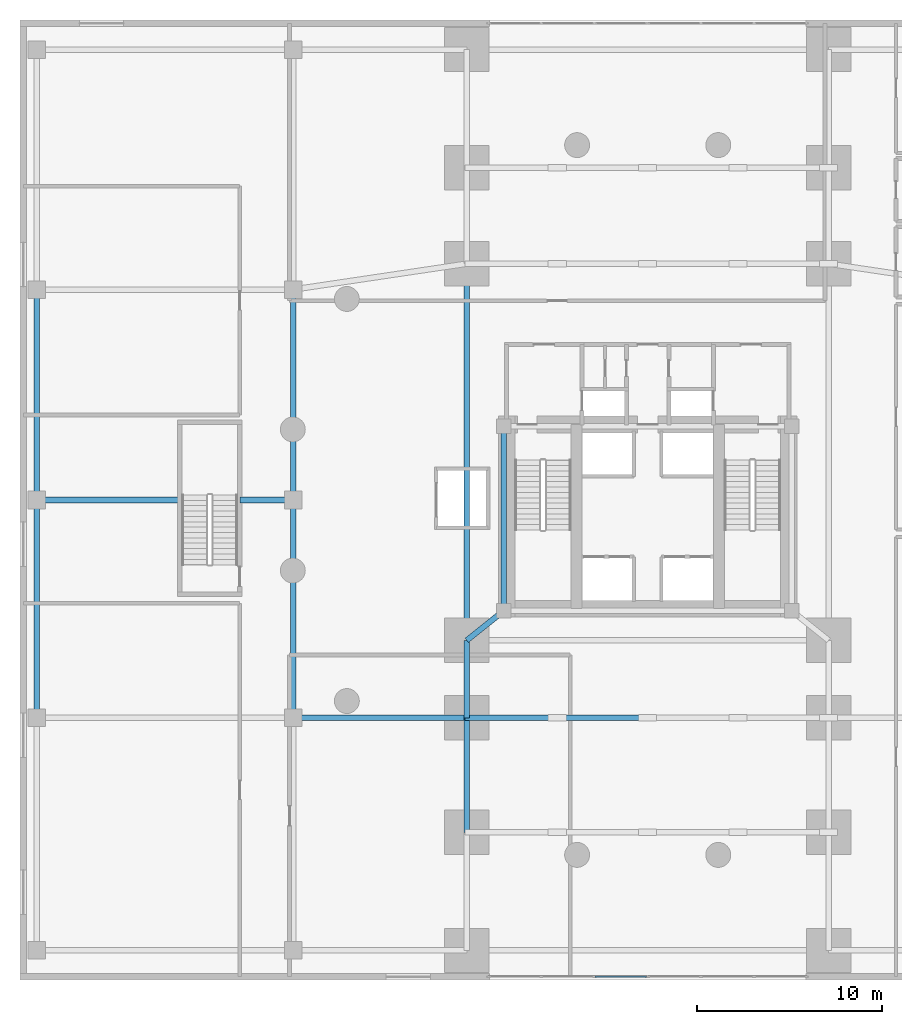
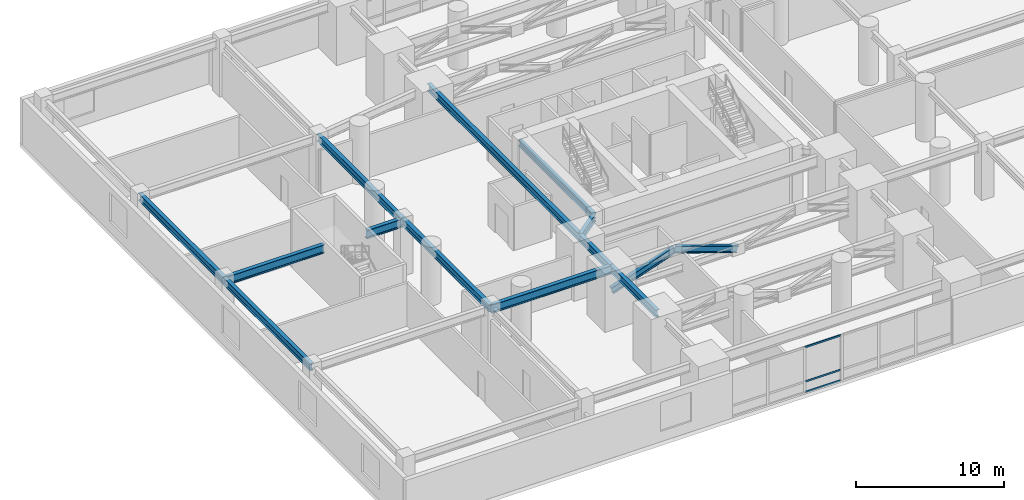
# One storey, part 3 of 17: 12 beams, 5 members, 1 element without a shape of its own.
"""IFC4 building model written with IfcOpenShell, lengths in metres."""

from ifc_helpers import new_model, si_unit, direction, frame, origin, origin_2d, place, context, subcontext, project, spatial, hollow_rectangle, i_section, extrude, material, layer, layer_set, material_profile, profile_set, type_object, element, aggregate, save


model = new_model("IFC4")

# Units and contexts
model_context = context("Model", 3, precision=1e-05, world=origin(), true_north=direction((0.0, 1.0)))
body_context = subcontext(model_context, "Body", "Model", "MODEL_VIEW")
ifc_project = project(units=[si_unit("LENGTHUNIT", "METRE"), si_unit("AREAUNIT", "SQUARE_METRE"), si_unit("VOLUMEUNIT", "CUBIC_METRE"), si_unit("PLANEANGLEUNIT", "RADIAN"), si_unit("MASSUNIT", "GRAM", prefix="KILO"), si_unit("THERMODYNAMICTEMPERATUREUNIT", "KELVIN"), si_unit("POWERUNIT", "WATT")], contexts=[model_context])

# Site, building, storey
site_placement = place(None, origin())
site = spatial("IfcSite", under=ifc_project, at=site_placement, CompositionType="ELEMENT")
building_placement = place(site_placement, origin())
building = spatial("IfcBuilding", under=site, at=building_placement, Name="Ocrelia Relay Tower", CompositionType="ELEMENT")
storey_placement = place(building_placement, frame((0.0, 0.0, 20.39990234375)))
storey = spatial("IfcBuildingStorey", under=building, at=storey_placement, Name="L04", CompositionType="ELEMENT", Elevation=20.39990234375)

# Beams
ifc_material_1 = material(Name="Steel S355", Category="steel")
ifc_material_profile_1 = material_profile(ifc_material_1, i_section(OverallWidth=0.300048828125, OverallDepth=0.5, WebThickness=0.014404296875, FlangeThickness=0.028076171875, FilletRadius=0.027099609375, at=origin_2d()), Name="HEB 500")
ifc_profile_set_1 = profile_set([ifc_material_profile_1], Name="Steel S355")
beam_type_1 = type_object("IfcBeamType", Name="BM-HEB500", PredefinedType="BEAM", material=ifc_profile_set_1)
beam_1_placement = place(storey_placement, frame((26.199951171875, 20.0, 4.22998046875), z_axis=(0.0, 1.0, 0.0), x_axis=(-1.0, 0.0, 0.0)))
element("IfcBeam", 1, at=beam_1_placement, inside=storey, type_object=beam_type_1, Name="L04 Core Pilaster Tie Beam W", PredefinedType="BEAM", context=body_context, shape_type="SweptSolid", body=[
    extrude(i_section(OverallWidth=0.300048828125, OverallDepth=0.5, WebThickness=0.014404296875, FlangeThickness=0.028076171875, FilletRadius=0.027099609375, at=origin_2d()), origin(), (0.0, 0.0, 1.0), 10.0),
])
ifc_material_profile_2 = material_profile(ifc_material_1, i_section(OverallWidth=0.300048828125, OverallDepth=0.60009765625, WebThickness=0.015380859375, FlangeThickness=0.030029296875, FilletRadius=0.027099609375, at=origin_2d()), Name="HEB 600")
ifc_profile_set_2 = profile_set([ifc_material_profile_2], Name="Steel S355")
beam_type_2 = type_object("IfcBeamType", Name="BM-HEB600", PredefinedType="BEAM", material=ifc_profile_set_2)
beam_2_placement = place(storey_placement, frame((0.89990234375, 14.199951171875, 4.18017578125), z_axis=(0.0, 1.0, 0.0), x_axis=(-1.0, 0.0, 0.0)))
element("IfcBeam", 2, at=beam_2_placement, inside=storey, type_object=beam_type_2, Name="L04 Podium Span Girder W-2", PredefinedType="BEAM", context=body_context, shape_type="SweptSolid", body=[
    extrude(i_section(OverallWidth=0.300048828125, OverallDepth=0.60009765625, WebThickness=0.015380859375, FlangeThickness=0.030029296875, FilletRadius=0.027099609375, at=origin_2d()), origin(), (0.0, 0.0, 1.0), 11.800048828125),
])
beam_3_placement = place(storey_placement, frame((0.89990234375, 26.0, 4.18017578125), z_axis=(0.0, 1.0, 0.0), x_axis=(-1.0, 0.0, 0.0)))
element("IfcBeam", 3, at=beam_3_placement, inside=storey, type_object=beam_type_2, Name="L04 Podium Span Girder W-3", PredefinedType="BEAM", context=body_context, shape_type="SweptSolid", body=[
    extrude(i_section(OverallWidth=0.300048828125, OverallDepth=0.60009765625, WebThickness=0.015380859375, FlangeThickness=0.030029296875, FilletRadius=0.027099609375, at=origin_2d()), origin(), (0.0, 0.0, 1.0), 11.39990234375),
])
beam_4_placement = place(storey_placement, frame((14.800048828125, 14.199951171875, 4.18017578125), z_axis=(0.0, 1.0, 0.0), x_axis=(-1.0, 0.0, 0.0)))
element("IfcBeam", 4, at=beam_4_placement, inside=storey, type_object=beam_type_2, Name="L04 Podium Span Girder IW-2", PredefinedType="BEAM", context=body_context, shape_type="SweptSolid", body=[
    extrude(i_section(OverallWidth=0.300048828125, OverallDepth=0.60009765625, WebThickness=0.015380859375, FlangeThickness=0.030029296875, FilletRadius=0.027099609375, at=origin_2d()), origin(), (0.0, 0.0, 1.0), 11.800048828125),
])
beam_5_placement = place(storey_placement, frame((14.800048828125, 26.0, 4.18017578125), z_axis=(0.0, 1.0, 0.0), x_axis=(-1.0, 0.0, 0.0)))
element("IfcBeam", 5, at=beam_5_placement, inside=storey, type_object=beam_type_2, Name="L04 Podium Span Girder IW-3", PredefinedType="BEAM", context=body_context, shape_type="SweptSolid", body=[
    extrude(i_section(OverallWidth=0.300048828125, OverallDepth=0.60009765625, WebThickness=0.015380859375, FlangeThickness=0.030029296875, FilletRadius=0.027099609375, at=origin_2d()), origin(), (0.0, 0.0, 1.0), 11.39990234375),
])
beam_6_placement = place(storey_placement, frame((24.199951171875, 8.0, 4.18017578125), z_axis=(0.0, 1.0, 0.0), x_axis=(-1.0, 0.0, 0.0)))
element("IfcBeam", 6, at=beam_6_placement, inside=storey, type_object=beam_type_2, Name="L04 Pier Line Tie Girder AW-2", PredefinedType="BEAM", context=body_context, shape_type="SweptSolid", body=[
    extrude(i_section(OverallWidth=0.300048828125, OverallDepth=0.60009765625, WebThickness=0.015380859375, FlangeThickness=0.030029296875, FilletRadius=0.027099609375, at=origin_2d()), origin(), (0.0, 0.0, 1.0), 6.199951171875),
])
beam_7_placement = place(storey_placement, frame((24.199951171875, 14.199951171875, 4.18017578125), z_axis=(0.0, 1.0, 0.0), x_axis=(-1.0, 0.0, 0.0)))
element("IfcBeam", 7, at=beam_7_placement, inside=storey, type_object=beam_type_2, Name="L04 Pier Line Tie Girder AW-3", PredefinedType="BEAM", context=body_context, shape_type="SweptSolid", body=[
    extrude(i_section(OverallWidth=0.300048828125, OverallDepth=0.60009765625, WebThickness=0.015380859375, FlangeThickness=0.030029296875, FilletRadius=0.027099609375, at=origin_2d()), origin(), (0.0, 0.0, 1.0), 4.199951171875),
])
beam_8_placement = place(storey_placement, frame((24.199951171875, 18.39990234375, 4.18017578125), z_axis=(0.0, 1.0, 0.0), x_axis=(-1.0, 0.0, 0.0)))
element("IfcBeam", 8, at=beam_8_placement, inside=storey, type_object=beam_type_2, Name="L04 Pier Line Tie Girder AW-6", PredefinedType="BEAM", context=body_context, shape_type="SweptSolid", body=[
    extrude(i_section(OverallWidth=0.300048828125, OverallDepth=0.60009765625, WebThickness=0.015380859375, FlangeThickness=0.030029296875, FilletRadius=0.027099609375, at=origin_2d()), origin(), (0.0, 0.0, 1.0), 20.400146484375),
])
beam_9_placement = place(storey_placement, frame((24.199951171875, 18.39990234375, 4.18017578125), z_axis=(0.78085021034, 0.624718295724, 0.0), x_axis=(-0.624718295724, 0.78085021034, 0.0)))
element("IfcBeam", 9, at=beam_9_placement, inside=storey, type_object=beam_type_2, Name="L04 Core Pilaster Link Girder AWS", PredefinedType="BEAM", context=body_context, shape_type="SweptSolid", body=[
    extrude(i_section(OverallWidth=0.300048828125, OverallDepth=0.60009765625, WebThickness=0.015380859375, FlangeThickness=0.030029296875, FilletRadius=0.027099609375, at=origin_2d()), origin(), (0.0, 0.0, 1.0), 2.561279296875),
])
ifc_material_profile_3 = material_profile(ifc_material_1, i_section(OverallWidth=0.300048828125, OverallDepth=0.699951171875, WebThickness=0.01708984375, FlangeThickness=0.031982421875, FilletRadius=0.027099609375, at=origin_2d()), Name="HEB 700")
ifc_profile_set_3 = profile_set([ifc_material_profile_3], Name="Steel S355")
beam_type_3 = type_object("IfcBeamType", Name="BM-HEB700", PredefinedType="BEAM", material=ifc_profile_set_3)
beam_10_placement = place(storey_placement, frame((14.800048828125, 14.199951171875, 4.130126953125), z_axis=(1.0, 0.0, 0.0), x_axis=(0.0, 1.0, 0.0)))
element("IfcBeam", 10, at=beam_10_placement, inside=storey, type_object=beam_type_3, Name="L04 West Inner Podium Girder M1", PredefinedType="BEAM", context=body_context, shape_type="SweptSolid", body=[
    extrude(i_section(OverallWidth=0.300048828125, OverallDepth=0.699951171875, WebThickness=0.01708984375, FlangeThickness=0.031982421875, FilletRadius=0.027099609375, at=origin_2d()), origin(), (0.0, 0.0, 1.0), 9.39990234375),
])
beam_11_placement = place(storey_placement, frame((0.89990234375, 26.0, 4.130126953125), z_axis=(1.0, 0.0, 0.0), x_axis=(0.0, 1.0, 0.0)))
element("IfcBeam", 11, at=beam_11_placement, inside=storey, type_object=beam_type_3, Name="L04 West Mid Podium Girder Outer", PredefinedType="BEAM", context=body_context, shape_type="SweptSolid", body=[
    extrude(i_section(OverallWidth=0.300048828125, OverallDepth=0.699951171875, WebThickness=0.01708984375, FlangeThickness=0.031982421875, FilletRadius=0.027099609375, at=origin_2d()), origin(), (0.0, 0.0, 1.0), 7.752197265625),
])
beam_12_placement = place(storey_placement, frame((11.907958984375, 26.0, 4.130126953125), z_axis=(1.0, 0.0, 0.0), x_axis=(0.0, 1.0, 0.0)))
element("IfcBeam", 12, at=beam_12_placement, inside=storey, type_object=beam_type_3, Name="L04 West Mid Podium Girder Inner", PredefinedType="BEAM", context=body_context, shape_type="SweptSolid", body=[
    extrude(i_section(OverallWidth=0.300048828125, OverallDepth=0.699951171875, WebThickness=0.01708984375, FlangeThickness=0.031982421875, FilletRadius=0.027099609375, at=origin_2d()), origin(), (0.0, 0.0, 1.0), 2.89208984375),
])

# Curtain wall, members
ifc_material_2 = material(Name="Aluminium and solar-control low-E glass", Category="aluminium")
ifc_layer = layer(ifc_material_2, 0.179931640625, Name="Aluminium and solar-control low-E glass")
ifc_layer_set = layer_set([ifc_layer], Name="Aluminium and solar-control low-E glass")
curtain_wall_type = type_object("IfcCurtainWallType", Name="CW-SYS-POD-GALL", PredefinedType="NOTDEFINED", material=ifc_layer_set)
curtain_wall_placement = place(storey_placement, origin())
curtain_wall = element("IfcCurtainWall", 13, at=curtain_wall_placement, inside=storey, type_object=curtain_wall_type, Name="L04 South Over-Arch Curtain Wall West", PredefinedType="NOTDEFINED")
ifc_material_3 = material(Name="Anodised bronze aluminium", Category="aluminium")
ifc_material_profile_4 = material_profile(ifc_material_3, hollow_rectangle(XDim=0.06494140625, YDim=0.139892578125, WallThickness=0.0048828125, at=origin_2d()), Name="CW-TRN-140x65")
ifc_profile_set_4 = profile_set([ifc_material_profile_4], Name="Anodised bronze aluminium")
member_type_1 = type_object("IfcMemberType", Name="CW-SYS-POD-GALL-TRN", PredefinedType="USERDEFINED", material=ifc_profile_set_4)
member_1_placement = place(storey_placement, frame((31.151611328125, 0.179931640625, 0.03271484375), z_axis=(1.0, 0.0, 0.0), x_axis=(0.0, 1.0, 0.0)))
member_1 = element("IfcMember", 14, at=member_1_placement, type_object=member_type_1, Name="CW-PG transom 3.1", ObjectType="TRANSOM", PredefinedType="USERDEFINED", context=body_context, shape_type="SweptSolid", body=[
    extrude(hollow_rectangle(XDim=0.06494140625, YDim=0.139892578125, WallThickness=0.0048828125, at=origin_2d()), origin(), (0.0, 0.0, 1.0), 2.7783203125),
])
member_2_placement = place(storey_placement, frame((31.151611328125, 0.179931640625, 0.900146484375), z_axis=(1.0, 0.0, 0.0), x_axis=(0.0, 1.0, 0.0)))
member_2 = element("IfcMember", 15, at=member_2_placement, type_object=member_type_1, Name="CW-PG transom 3.2", ObjectType="TRANSOM", PredefinedType="USERDEFINED", context=body_context, shape_type="SweptSolid", body=[
    extrude(hollow_rectangle(XDim=0.06494140625, YDim=0.139892578125, WallThickness=0.0048828125, at=origin_2d()), origin(), (0.0, 0.0, 1.0), 2.7783203125),
])
member_3_placement = place(storey_placement, frame((31.151611328125, 0.179931640625, 3.7275390625), z_axis=(1.0, 0.0, 0.0), x_axis=(0.0, 1.0, 0.0)))
member_3 = element("IfcMember", 16, at=member_3_placement, type_object=member_type_1, Name="CW-PG transom 3.3", ObjectType="TRANSOM", PredefinedType="USERDEFINED", context=body_context, shape_type="SweptSolid", body=[
    extrude(hollow_rectangle(XDim=0.06494140625, YDim=0.139892578125, WallThickness=0.0048828125, at=origin_2d()), origin(), (0.0, 0.0, 1.0), 2.7783203125),
])
aggregate(curtain_wall, [member_1, member_2, member_3])

# Members
ifc_material_profile_5 = material_profile(ifc_material_1, i_section(OverallWidth=0.300048828125, OverallDepth=0.550048828125, WebThickness=0.014892578125, FlangeThickness=0.029052734375, FilletRadius=0.027099609375, at=origin_2d()), Name="HEB 550")
ifc_profile_set_5 = profile_set([ifc_material_profile_5], Name="Steel S355")
member_type_2 = type_object("IfcMemberType", Name="MB-ARCH-DIAG", PredefinedType="BRACE", material=ifc_profile_set_5)
member_4_placement = place(storey_placement, frame((24.199951171875, 14.199951171875, 2.35009765625), z_axis=(0.945952968798, 0.0, 0.324303840282), x_axis=(0.0, 1.0, 0.0)))
element("IfcMember", 17, at=member_4_placement, inside=storey, type_object=member_type_2, Name="L04 Warren Transfer Truss Diagonal SI-1", PredefinedType="BRACE", context=body_context, shape_type="SweptSolid", body=[
    extrude(i_section(OverallWidth=0.300048828125, OverallDepth=0.550048828125, WebThickness=0.014892578125, FlangeThickness=0.029052734375, FilletRadius=0.027099609375, at=origin_2d()), origin(), (0.0, 0.0, 1.0), 5.18017578125),
])
member_5_placement = place(storey_placement, frame((29.10009765625, 14.199951171875, 4.030029296875), z_axis=(0.945948011629, 0.0, -0.324318299353), x_axis=(0.0, 1.0, 0.0)))
element("IfcMember", 18, at=member_5_placement, inside=storey, type_object=member_type_2, Name="L04 Warren Transfer Truss Diagonal SI-2", PredefinedType="BRACE", context=body_context, shape_type="SweptSolid", body=[
    extrude(i_section(OverallWidth=0.300048828125, OverallDepth=0.550048828125, WebThickness=0.014892578125, FlangeThickness=0.029052734375, FilletRadius=0.027099609375, at=origin_2d()), origin(), (0.0, 0.0, 1.0), 5.179931640625),
])

save(model, "model.ifc")
